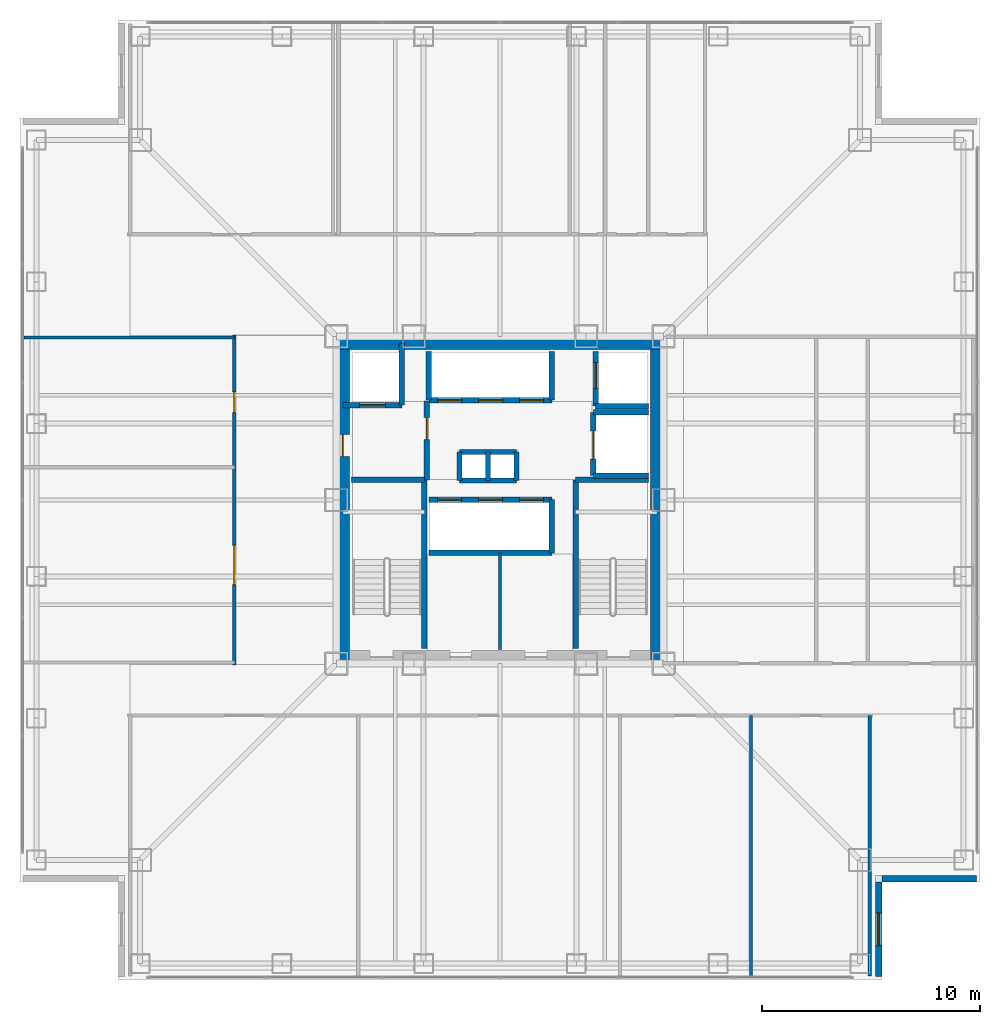
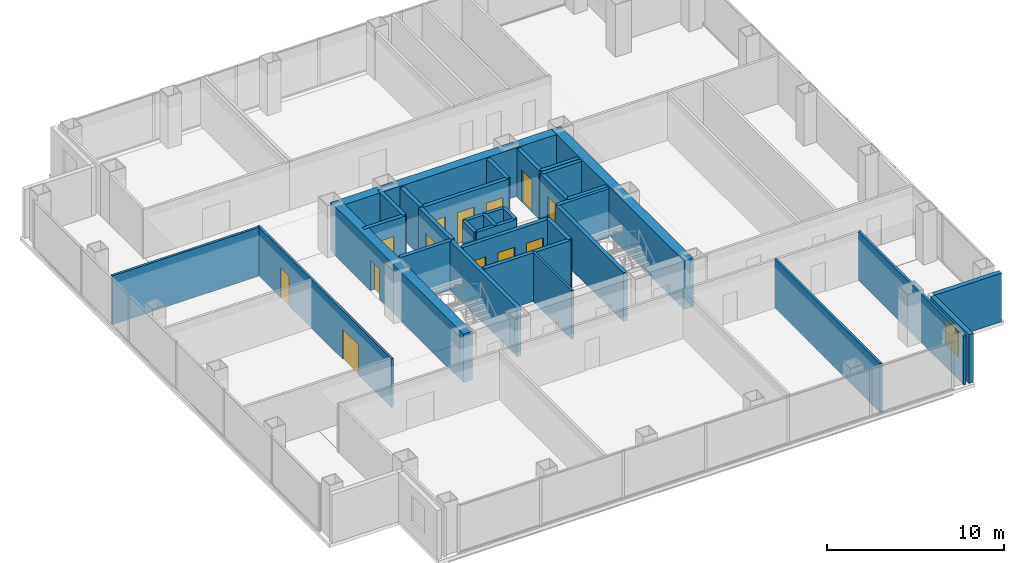
# One storey, part 10 of 14: 33 walls, 13 doors, 1 window, 14 openings.
"""IFC4 building model written with IfcOpenShell, lengths in metres."""

import ifcopenshell
import ifcopenshell.guid

model = None  # the IFC model being written
_history = None  # IfcOwnerHistory: only IFC2X3 demands one
_inside = {}  # id of a spatial element -> (the spatial element, [elements in it])
_under = {}  # id of a project, library or spatial element -> (it, [spatial elements below it])
_declared = {}  # id of a project -> (the project, [libraries it declares])
_typed = {}  # id of a type object -> (the type object, [elements of that type])
_made_of = {}  # id of a material, layer set ... -> (it, [elements and type objects made of it])


def new_model(schema):
    """Start an empty IFC model of exactly this schema.

    Asked for "IFC4X3", IfcOpenShell would pick the latest addendum, in which some entities
    have other attributes; the version numbers below select the first issue.
    IFC2X3 requires an IfcOwnerHistory on every rooted entity: one is made here for all.
    """
    global model, _history
    if schema == "IFC4X3":
        model = ifcopenshell.file(schema_version=(4, 3, 0, 0))
    else:
        model = ifcopenshell.file(schema=schema)
    _inside.clear()
    _under.clear()
    _declared.clear()
    _typed.clear()
    _made_of.clear()
    _history = None
    if model.schema == "IFC2X3":
        org = make("IfcOrganization", Name="unknown")
        user = make(
            "IfcPersonAndOrganization",
            ThePerson=make("IfcPerson", FamilyName="unknown"),
            TheOrganization=org,
        )
        app = make(
            "IfcApplication",
            ApplicationDeveloper=org,
            Version="unknown",
            ApplicationFullName="unknown",
            ApplicationIdentifier="unknown",
        )
        _history = make(
            "IfcOwnerHistory",
            OwningUser=user,
            OwningApplication=app,
            ChangeAction="ADDED",
            CreationDate=0,
        )
    return model


def make(cls, **values):
    """One entity of the class cls with the attributes given. An attribute that is None is left unset."""
    return model.create_entity(
        cls, **{name: value for name, value in values.items() if value is not None}
    )


def rooted(cls, **values):
    """An entity with a GlobalId (a new one), such as an element, a storey or a relation."""
    return make(cls, GlobalId=ifcopenshell.guid.new(), OwnerHistory=_history, **values)


def si_unit(unit_type, name, prefix=None):
    """IfcSIUnit, for example si_unit("LENGTHUNIT", "METRE", prefix="MILLI")."""
    return make("IfcSIUnit", UnitType=unit_type, Prefix=prefix, Name=name)


def assignment(units):
    """IfcUnitAssignment: the units of a project."""
    return None if units is None else make("IfcUnitAssignment", Units=units)


def point(xyz):
    """IfcCartesianPoint."""
    return None if xyz is None else make("IfcCartesianPoint", Coordinates=xyz)


def direction(xyz):
    """IfcDirection."""
    return None if xyz is None else make("IfcDirection", DirectionRatios=xyz)


def frame(location, z_axis=None, x_axis=None):
    """IfcAxis2Placement3D, a coordinate frame: its origin and axes. An axis left out is left unset."""
    return make(
        "IfcAxis2Placement3D",
        Location=point(location),
        Axis=direction(z_axis),
        RefDirection=direction(x_axis),
    )


def frame_2d(location, x_axis=None):
    """IfcAxis2Placement2D, a coordinate frame in the plane: its origin and x axis."""
    return make(
        "IfcAxis2Placement2D", Location=point(location), RefDirection=direction(x_axis)
    )


def origin():
    """The frame at (0, 0, 0) with its axes left unset."""
    return frame((0.0, 0.0, 0.0))


def place(relative_to, where):
    """IfcLocalPlacement: puts the frame where relative to a parent placement (None: the world)."""
    return make(
        "IfcLocalPlacement", PlacementRelTo=relative_to, RelativePlacement=where
    )


def context(
    kind, dimensions, precision=None, world=None, true_north=None, identifier=None
):
    """IfcGeometricRepresentationContext, for example the 3D "Model" context."""
    return make(
        "IfcGeometricRepresentationContext",
        ContextIdentifier=identifier,
        ContextType=kind,
        CoordinateSpaceDimension=dimensions,
        Precision=precision,
        WorldCoordinateSystem=world,
        TrueNorth=true_north,
    )


def subcontext(parent, identifier, kind, view, scale=None):
    """IfcGeometricRepresentationSubContext, for example "Body" below "Model"."""
    return make(
        "IfcGeometricRepresentationSubContext",
        ContextIdentifier=identifier,
        ContextType=kind,
        ParentContext=parent,
        TargetScale=scale,
        TargetView=view,
    )


def project(units=None, contexts=None):
    """IfcProject with its units and contexts."""
    return rooted(
        "IfcProject",
        Name="project",
        RepresentationContexts=contexts,
        UnitsInContext=assignment(units),
    )


def spatial(cls, under=None, at=None, **own):
    """A site, building, storey or space (cls), placed at a placement, below another one or the project."""
    s = rooted(cls, ObjectPlacement=at, **own)
    if under is not None:
        _under.setdefault(under.id(), (under, []))[1].append(s)
    return s


def profile(cls, at=None, kind="AREA", **sizes):
    """A parametric profile (cls). Its sizes go by their IFC names, for example OverallWidth=200.0."""
    return make(cls, ProfileType=kind, Position=at, **sizes)


def rectangle(**sizes):
    """IfcRectangleProfileDef."""
    return profile("IfcRectangleProfileDef", **sizes)


def extrude(swept, where, along, depth):
    """IfcExtrudedAreaSolid: the profile swept, set in the frame where, extruded along a direction by depth."""
    return make(
        "IfcExtrudedAreaSolid",
        SweptArea=swept,
        Position=where,
        ExtrudedDirection=direction(along),
        Depth=depth,
    )


def shape(context_of_items, identifier, shape_type, items):
    """IfcShapeRepresentation: the items that make up one representation, for example the "Body"."""
    return make(
        "IfcShapeRepresentation",
        ContextOfItems=context_of_items,
        RepresentationIdentifier=identifier,
        RepresentationType=shape_type,
        Items=items,
    )


def material(Name=None, Category=None):
    """IfcMaterial."""
    return make("IfcMaterial", Name=Name, Category=Category)


def layer(
    of_material, thickness, ventilated=None, Name=None, Category=None, Priority=None
):
    """IfcMaterialLayer: one layer of a wall or slab, of a material (None: an air gap)."""
    return make(
        "IfcMaterialLayer",
        Material=of_material,
        LayerThickness=thickness,
        IsVentilated=ventilated,
        Name=Name,
        Category=Category,
        Priority=Priority,
    )


def layer_set(layers, Name=None):
    """IfcMaterialLayerSet."""
    return make("IfcMaterialLayerSet", MaterialLayers=layers, LayerSetName=Name)


def made_of(thing, what):
    """Note that an element or type object is made of a material, layer set ...; save() writes the relation."""
    if what is not None:
        _made_of.setdefault(what.id(), (what, []))[1].append(thing)
    return thing


def type_object(cls, material=None, **own):
    """A type object (cls), such as IfcWallType, which elements share."""
    return made_of(rooted(cls, **own), material)


def element(
    cls,
    number,
    at=None,
    inside=None,
    cuts=None,
    type_object=None,
    material=None,
    context=None,
    identifier="Body",
    shape_type=None,
    held_by="IfcProductDefinitionShape",
    body=None,
    shapes=None,
    **own,
):
    """One element of the class cls, such as IfcWall. Its Tag is "e" and its number.

    at: its placement. inside: the storey or other place that contains it. cuts: it is an
    opening in that element (IfcRelVoidsElement). A single representation is given by context,
    identifier, shape_type and body (its items); several are given by shapes. held_by: the class
    of the entity that holds the representations. save() writes the other relations.
    """
    e = rooted(cls, Tag="e%d" % number, ObjectPlacement=at, **own)
    if body is not None:
        shapes = [shape(context, identifier, shape_type, body)]
    if shapes is not None:
        e.Representation = make(held_by, Representations=shapes)
    if inside is not None:
        _inside.setdefault(inside.id(), (inside, []))[1].append(e)
    if cuts is not None:
        rooted(
            "IfcRelVoidsElement", RelatingBuildingElement=cuts, RelatedOpeningElement=e
        )
    if type_object is not None:
        _typed.setdefault(type_object.id(), (type_object, []))[1].append(e)
    return made_of(e, material)


def fill(opening, filler):
    """IfcRelFillsElement: the door or window that sits in an opening."""
    return rooted(
        "IfcRelFillsElement",
        RelatingOpeningElement=opening,
        RelatedBuildingElement=filler,
    )


def aggregate(whole, parts):
    """IfcRelAggregates: a whole, such as a stair, and the parts it consists of."""
    return rooted("IfcRelAggregates", RelatingObject=whole, RelatedObjects=parts)


def save(model, path):
    """Write the relations noted so far, then the file.

    IfcRelAggregates (storeys below a building ...), IfcRelContainedInSpatialStructure (elements
    in a storey), IfcRelDefinesByType, IfcRelAssociatesMaterial and IfcRelDeclares: one each for
    every whole, place, type object, material and project.
    """
    for whole, parts in _under.values():
        aggregate(whole, parts)
    for where, things in _inside.values():
        rooted(
            "IfcRelContainedInSpatialStructure",
            RelatedElements=things,
            RelatingStructure=where,
        )
    for kind, things in _typed.values():
        rooted("IfcRelDefinesByType", RelatedObjects=things, RelatingType=kind)
    for what, things in _made_of.values():
        rooted("IfcRelAssociatesMaterial", RelatedObjects=things, RelatingMaterial=what)
    for by, libraries in _declared.values():
        rooted("IfcRelDeclares", RelatingContext=by, RelatedDefinitions=libraries)
    model.write(path)


model = new_model("IFC4")

# Units and contexts
model_context = context("Model", 3, precision=1e-05, world=origin(), true_north=direction((0.0, 1.0)))
body_context = subcontext(model_context, "Body", "Model", "MODEL_VIEW")
ifc_project = project(units=[si_unit("LENGTHUNIT", "METRE"), si_unit("AREAUNIT", "SQUARE_METRE"), si_unit("VOLUMEUNIT", "CUBIC_METRE"), si_unit("PLANEANGLEUNIT", "RADIAN"), si_unit("MASSUNIT", "GRAM", prefix="KILO")], contexts=[model_context])

# Site, building, storey
site_placement = place(None, origin())
site = spatial("IfcSite", under=ifc_project, at=site_placement, CompositionType="ELEMENT")
building_placement = place(site_placement, origin())
building = spatial("IfcBuilding", under=site, at=building_placement, Name="Trevonay Congress Spire", CompositionType="ELEMENT")
storey_placement = place(building_placement, frame((0.0, 0.0, 119.199951171875)))
storey = spatial("IfcBuildingStorey", under=building, at=storey_placement, Name="L30", CompositionType="ELEMENT", Elevation=119.199951171875)

# Wall
ifc_material_1 = material(Name="Concrete C60/75", Category="concrete")
ifc_layer_1 = layer(ifc_material_1, 0.60009765625, Name="Concrete C60/75")
ifc_layer_set_1 = layer_set([ifc_layer_1], Name="Concrete C60/75")
wall_type_1 = type_object("IfcWallType", Name="WAL-CORE-600", PredefinedType="SHEAR", material=ifc_layer_set_1)
wall_1_placement = place(storey_placement, frame((-7.5, 7.199951171875, 0.0), z_axis=(0.0, 0.0, 1.0), x_axis=(1.0, 0.0, 0.0)))
element("IfcWall", 1, at=wall_1_placement, inside=storey, type_object=wall_type_1, Name="L30 North structural core shear wall", PredefinedType="SHEAR", context=body_context, shape_type="SweptSolid", body=[
    extrude(rectangle(XDim=15.0, YDim=0.60009765625, at=frame_2d((7.5, 0.0))), origin(), (0.0, 0.0, 1.0), 3.360107421875),
])

# Wall, opening, door
wall_2_placement = place(storey_placement, frame((-7.199951171875, -7.5, 0.0), z_axis=(0.0, 0.0, 1.0), x_axis=(0.0, 1.0, 0.0)))
wall_2 = element("IfcWall", 2, at=wall_2_placement, inside=storey, type_object=wall_type_1, Name="L30 West structural core shear wall", PredefinedType="SHEAR", context=body_context, shape_type="SweptSolid", body=[
    extrude(rectangle(XDim=15.0, YDim=0.60009765625, at=frame_2d((7.5, 0.0))), origin(), (0.0, 0.0, 1.0), 3.360107421875),
])
opening_1_placement = place(wall_2_placement, frame((9.5, 0.0, 0.0)))
opening_1 = element("IfcOpeningElement", 3, at=opening_1_placement, cuts=wall_2, Name="Opening D06", PredefinedType="OPENING", context=body_context, shape_type="SweptSolid", body=[
    extrude(rectangle(XDim=1.0, YDim=2.080078125, at=frame_2d((0.5, 1.0400390625))), frame((0.0, 0.31005859375, 0.0), z_axis=(0.0, -1.0, 0.0), x_axis=(1.0, 0.0, 0.0)), (0.0, 0.0, 1.0), 0.6201171875),
])
ifc_material_2 = material(Name="Steel ASTM A572 Grade 50", Category="steel")
door_type_1 = type_object("IfcDoorType", Name="DOR-FIRE-100", OperationType="NOTDEFINED", PredefinedType="DOOR", material=ifc_material_2)
door_1_placement = place(opening_1_placement, origin())
door_1 = element("IfcDoor", 4, at=door_1_placement, inside=storey, type_object=door_type_1, Name="L30 Firefighting Lift Lobby West Corridor Door", OperationType="SINGLE_SWING_RIGHT", OverallHeight=2.080078125, OverallWidth=1.0, PredefinedType="DOOR", context=body_context, shape_type="SweptSolid", body=[
    extrude(rectangle(XDim=1.0, YDim=2.080078125, at=frame_2d((0.5, 1.0400390625))), frame((0.0, 0.02490234375, 0.0), z_axis=(0.0, -1.0, 0.0), x_axis=(1.0, 0.0, 0.0)), (0.0, 0.0, 1.0), 0.050048828125),
])
fill(opening_1, door_1)

# Wall
wall_3_placement = place(storey_placement, frame((7.199951171875, -7.5, 0.0), z_axis=(0.0, 0.0, 1.0), x_axis=(0.0, 1.0, 0.0)))
element("IfcWall", 5, at=wall_3_placement, inside=storey, type_object=wall_type_1, Name="L30 East structural core shear wall", PredefinedType="SHEAR", context=body_context, shape_type="SweptSolid", body=[
    extrude(rectangle(XDim=15.0, YDim=0.60009765625, at=frame_2d((7.5, 0.0))), origin(), (0.0, 0.0, 1.0), 3.360107421875),
])

# Wall, openings, doors
ifc_material_3 = material(Name="Concrete C40/50", Category="concrete")
ifc_layer_2 = layer(ifc_material_3, 0.14990234375, Name="Concrete C40/50")
ifc_layer_set_2 = layer_set([ifc_layer_2], Name="Concrete C40/50")
wall_type_2 = type_object("IfcWallType", Name="WAL-CORR-150", PredefinedType="PARTITIONING", material=ifc_layer_set_2)
wall_4_placement = place(storey_placement, frame((-12.179931640625, -7.570068359375, 0.0), z_axis=(0.0, 0.0, 1.0), x_axis=(0.0, 1.0, 0.0)))
wall_4 = element("IfcWall", 6, at=wall_4_placement, inside=storey, type_object=wall_type_2, Name="L30 interior wall WP-L30W-COR", PredefinedType="PARTITIONING", context=body_context, shape_type="SweptSolid", body=[
    extrude(rectangle(XDim=15.14013671875, YDim=0.14990234375, at=frame_2d((7.570068359375, 0.0))), origin(), (0.0, 0.0, 1.0), 3.360107421875),
])
opening_2_placement = place(wall_4_placement, frame((3.695068359375, 0.0, 0.0)))
opening_2 = element("IfcOpeningElement", 7, at=opening_2_placement, cuts=wall_4, Name="Opening D09", PredefinedType="OPENING", context=body_context, shape_type="SweptSolid", body=[
    extrude(rectangle(XDim=1.800048828125, YDim=2.080078125, at=frame_2d((0.89990234375, 1.0400390625))), frame((0.0, 0.0849609375, 0.0), z_axis=(0.0, -1.0, 0.0), x_axis=(1.0, 0.0, 0.0)), (0.0, 0.0, 1.0), 0.169921875),
])
opening_3_placement = place(wall_4_placement, frame((11.570068359375, 0.0, 0.0)))
opening_3 = element("IfcOpeningElement", 8, at=opening_3_placement, cuts=wall_4, Name="Opening D07", PredefinedType="OPENING", context=body_context, shape_type="SweptSolid", body=[
    extrude(rectangle(XDim=0.949951171875, YDim=2.06005859375, at=frame_2d((0.47509765625, 1.030029296875))), frame((0.0, 0.0849609375, 0.0), z_axis=(0.0, -1.0, 0.0), x_axis=(1.0, 0.0, 0.0)), (0.0, 0.0, 1.0), 0.169921875),
])
ifc_material_4 = material(Name="Pale Anodised Aluminium EN AW-6063-T6", Category="aluminium")
door_type_2 = type_object("IfcDoorType", Name="DOR-CONF-DBL", OperationType="DOUBLE_DOOR_SINGLE_SWING", PredefinedType="DOOR", material=ifc_material_4)
door_2_placement = place(opening_2_placement, origin())
door_2 = element("IfcDoor", 9, at=door_2_placement, inside=storey, type_object=door_type_2, Name="L30 Delegates Club Lounge Door", OperationType="DOUBLE_DOOR_SINGLE_SWING", OverallHeight=2.080078125, OverallWidth=1.800048828125, PredefinedType="DOOR", context=body_context, shape_type="SweptSolid", body=[
    extrude(rectangle(XDim=1.800048828125, YDim=2.080078125, at=frame_2d((0.89990234375, 1.0400390625))), frame((0.0, 0.02490234375, 0.0), z_axis=(0.0, -1.0, 0.0), x_axis=(1.0, 0.0, 0.0)), (0.0, 0.0, 1.0), 0.050048828125),
])
fill(opening_2, door_2)
door_type_3 = type_object("IfcDoorType", Name="DOR-OFFICE-95", OperationType="NOTDEFINED", PredefinedType="DOOR", material=ifc_material_4)
door_3_placement = place(opening_3_placement, origin())
door_3 = element("IfcDoor", 10, at=door_3_placement, inside=storey, type_object=door_type_3, Name="L30 Sommelier Bar Door", OperationType="SINGLE_SWING_LEFT", OverallHeight=2.06005859375, OverallWidth=0.949951171875, PredefinedType="DOOR", context=body_context, shape_type="SweptSolid", body=[
    extrude(rectangle(XDim=0.949951171875, YDim=2.06005859375, at=frame_2d((0.47509765625, 1.030029296875))), frame((0.0, 0.02490234375, 0.0), z_axis=(0.0, -1.0, 0.0), x_axis=(1.0, 0.0, 0.0)), (0.0, 0.0, 1.0), 0.050048828125),
])
fill(opening_3, door_3)

# Wall, opening, window
ifc_material_5 = material(Name="Precast concrete C40/50", Category="concrete")
ifc_layer_3 = layer(ifc_material_5, 0.300048828125, Name="Precast concrete C40/50")
ifc_layer_set_3 = layer_set([ifc_layer_3], Name="Precast concrete C40/50")
wall_type_3 = type_object("IfcWallType", Name="WAL-EXT-PRECAST-300", PredefinedType="SOLIDWALL", material=ifc_layer_set_3)
wall_5_placement = place(storey_placement, frame((17.35009765625, -21.85009765625, 0.0), z_axis=(0.0, 0.0, 1.0), x_axis=(0.0, 1.0, 0.0)))
wall_5 = element("IfcWall", 11, at=wall_5_placement, inside=storey, type_object=wall_type_3, Name="L30 SE re-entrant notch exterior wall 1", PredefinedType="SOLIDWALL", context=body_context, shape_type="SweptSolid", body=[
    extrude(rectangle(XDim=4.35009765625, YDim=0.300048828125, at=frame_2d((2.175048828125, 0.0))), origin(), (0.0, 0.0, 1.0), 3.360107421875),
])
opening_4_placement = place(wall_5_placement, frame((1.425048828125, 0.0, 0.89990234375)))
opening_4 = element("IfcOpeningElement", 12, at=opening_4_placement, cuts=wall_5, Name="Opening WN03", PredefinedType="OPENING", context=body_context, shape_type="SweptSolid", body=[
    extrude(rectangle(XDim=1.5, YDim=1.800048828125, at=frame_2d((0.75, 0.89990234375))), frame((0.0, 0.16015625, 0.0), z_axis=(0.0, -1.0, 0.0), x_axis=(1.0, 0.0, 0.0)), (0.0, 0.0, 1.0), 0.320068359375),
])
ifc_material_6 = material(Name="Insulated Low-E Vision Glass IGU", Category="glass")
window_type = type_object("IfcWindowType", Name="WIN-NOTCH-150X180", PartitioningType="SINGLE_PANEL", PredefinedType="WINDOW", material=ifc_material_6)
window_placement = place(opening_4_placement, origin())
window = element("IfcWindow", 13, at=window_placement, inside=storey, type_object=window_type, Name="L30 SE corner notch window", OverallHeight=1.800048828125, OverallWidth=1.5, PartitioningType="SINGLE_PANEL", PredefinedType="WINDOW", context=body_context, shape_type="SweptSolid", body=[
    extrude(rectangle(XDim=1.5, YDim=1.800048828125, at=frame_2d((0.75, 0.89990234375))), frame((0.0, 0.030029296875, 0.0), z_axis=(0.0, -1.0, 0.0), x_axis=(1.0, 0.0, 0.0)), (0.0, 0.0, 1.0), 0.06005859375),
])
fill(opening_4, window)

# Walls
wall_6_placement = place(storey_placement, frame((21.85009765625, -17.35009765625, 0.0), z_axis=(0.0, 0.0, 1.0), x_axis=(-1.0, 0.0, 0.0)))
element("IfcWall", 14, at=wall_6_placement, inside=storey, type_object=wall_type_3, Name="L30 SE re-entrant notch exterior wall 2", PredefinedType="SOLIDWALL", context=body_context, shape_type="SweptSolid", body=[
    extrude(rectangle(XDim=4.35009765625, YDim=0.300048828125, at=frame_2d((2.175048828125, 0.0))), origin(), (0.0, 0.0, 1.0), 3.360107421875),
])
ifc_layer_4 = layer(ifc_material_3, 0.14990234375, Name="Concrete C40/50")
ifc_layer_set_4 = layer_set([ifc_layer_4], Name="Concrete C40/50")
wall_type_4 = type_object("IfcWallType", Name="WAL-PART-150", PredefinedType="PARTITIONING", material=ifc_layer_set_4)
wall_7_placement = place(storey_placement, frame((0.0, -6.85009765625, 0.0), z_axis=(0.0, 0.0, 1.0), x_axis=(0.0, 1.0, 0.0)))
element("IfcWall", 15, at=wall_7_placement, inside=storey, type_object=wall_type_4, Name="L30 interior wall CW-F0-L30", PredefinedType="PARTITIONING", context=body_context, shape_type="SweptSolid", body=[
    extrude(rectangle(XDim=4.420166015625, YDim=0.14990234375, at=frame_2d((2.2099609375, 0.0))), origin(), (0.0, 0.0, 1.0), 3.360107421875),
])
for number, where, z_axis, x_axis, name in (
    (16, (11.5, -21.820068359375, 0.0), (0.0, 0.0, 1.0), (0.0, 1.0, 0.0), "L30 interior wall WP-L30S-DIV4"),
    (17, (16.949951171875, -21.820068359375, 0.0), (0.0, 0.0, 1.0), (0.0, 1.0, 0.0), "L30 interior wall WP-L30S-DIV5"),
):
    element("IfcWall", number, at=place(storey_placement, frame(where, z_axis=z_axis, x_axis=x_axis)), inside=storey, type_object=wall_type_4, Name=name, PredefinedType="PARTITIONING", context=body_context, shape_type="SweptSolid", body=[
        extrude(rectangle(XDim=11.940185546875, YDim=0.14990234375, at=frame_2d((5.97021484375, 0.0))), origin(), (0.0, 0.0, 1.0), 3.360107421875),
    ])
wall_8_placement = place(storey_placement, frame((-21.820068359375, 7.449951171875, 0.0), z_axis=(0.0, 0.0, 1.0), x_axis=(1.0, 0.0, 0.0)))
element("IfcWall", 18, at=wall_8_placement, inside=storey, type_object=wall_type_4, Name="L30 interior wall WP-L30W-DIV3", PredefinedType="PARTITIONING", context=body_context, shape_type="SweptSolid", body=[
    extrude(rectangle(XDim=9.64013671875, YDim=0.14990234375, at=frame_2d((4.820068359375, 0.0))), origin(), (0.0, 0.0, 1.0), 3.360107421875),
])
ifc_layer_5 = layer(ifc_material_3, 0.219970703125, Name="Concrete C40/50")
ifc_layer_set_5 = layer_set([ifc_layer_5], Name="Concrete C40/50")
wall_type_5 = type_object("IfcWallType", Name="WAL-SHAFT-220", PredefinedType="PARTITIONING", material=ifc_layer_set_5)
for number, where, z_axis, x_axis, name in (
    (19, (-1.85009765625, 2.199951171875, 0.0), (0.0, 0.0, 1.0), (1.0, 0.0, 0.0), "L30 interior shaft wall WSH-L30-RSR-N"),
    (20, (-1.85009765625, 0.89990234375, 0.0), (0.0, 0.0, 1.0), (1.0, 0.0, 0.0), "L30 interior shaft wall WSH-L30-RSR-S"),
):
    element("IfcWall", number, at=place(storey_placement, frame(where, z_axis=z_axis, x_axis=x_axis)), inside=storey, type_object=wall_type_5, Name=name, PredefinedType="PARTITIONING", context=body_context, shape_type="SweptSolid", body=[
        extrude(rectangle(XDim=2.60009765625, YDim=0.219970703125, at=frame_2d((1.300048828125, 0.0))), origin(), (0.0, 0.0, 1.0), 3.360107421875),
    ])
for number, where, z_axis, x_axis, name in (
    (21, (-0.550048828125, 0.89990234375, 0.0), (0.0, 0.0, 1.0), (0.0, 1.0, 0.0), "L30 interior shaft wall WSH-L30-RSR-M"),
    (22, (0.75, 0.89990234375, 0.0), (0.0, 0.0, 1.0), (0.0, 1.0, 0.0), "L30 interior shaft wall WSH-L30-RSR-E"),
    (23, (-1.85009765625, 0.89990234375, 0.0), (0.0, 0.0, 1.0), (0.0, 1.0, 0.0), "L30 interior shaft wall WSH-L30-RSR-W"),
):
    element("IfcWall", number, at=place(storey_placement, frame(where, z_axis=z_axis, x_axis=x_axis)), inside=storey, type_object=wall_type_5, Name=name, PredefinedType="PARTITIONING", context=body_context, shape_type="SweptSolid", body=[
        extrude(rectangle(XDim=1.300048828125, YDim=0.219970703125, at=frame_2d((0.64990234375, 0.0))), origin(), (0.0, 0.0, 1.0), 3.360107421875),
    ])

# Wall, openings, doors
ifc_layer_6 = layer(ifc_material_3, 0.25, Name="Concrete C40/50")
ifc_layer_set_6 = layer_set([ifc_layer_6], Name="Concrete C40/50")
wall_type_6 = type_object("IfcWallType", Name="WAL-SHAFT-250", PredefinedType="SHEAR", material=ifc_layer_set_6)
wall_9_placement = place(storey_placement, frame((-3.260009765625, 0.02001953125, 0.0), z_axis=(0.0, 0.0, 1.0), x_axis=(1.0, 0.0, 0.0)))
wall_9 = element("IfcWall", 24, at=wall_9_placement, inside=storey, type_object=wall_type_6, Name="L30 interior shaft wall WSH-L30-B2-N", PredefinedType="SHEAR", context=body_context, shape_type="SweptSolid", body=[
    extrude(rectangle(XDim=5.639892578125, YDim=0.25, at=frame_2d((2.81982421875, 0.0))), origin(), (0.0, 0.0, 1.0), 3.360107421875),
])
opening_5_placement = place(wall_9_placement, frame((0.39990234375, 0.0, 0.0)))
opening_5 = element("IfcOpeningElement", 25, at=opening_5_placement, cuts=wall_9, Name="Opening LD02", PredefinedType="OPENING", context=body_context, shape_type="SweptSolid", body=[
    extrude(rectangle(XDim=1.10009765625, YDim=2.199951171875, at=frame_2d((0.550048828125, 1.10009765625))), frame((0.0, 0.135009765625, 0.0), z_axis=(0.0, -1.0, 0.0), x_axis=(1.0, 0.0, 0.0)), (0.0, 0.0, 1.0), 0.27001953125),
])
opening_6_placement = place(wall_9_placement, frame((2.280029296875, 0.0, 0.0)))
opening_6 = element("IfcOpeningElement", 26, at=opening_6_placement, cuts=wall_9, Name="Opening LD02", PredefinedType="OPENING", context=body_context, shape_type="SweptSolid", body=[
    extrude(rectangle(XDim=1.10009765625, YDim=2.199951171875, at=frame_2d((0.550048828125, 1.10009765625))), frame((0.0, 0.135009765625, 0.0), z_axis=(0.0, -1.0, 0.0), x_axis=(1.0, 0.0, 0.0)), (0.0, 0.0, 1.0), 0.27001953125),
])
opening_7_placement = place(wall_9_placement, frame((4.159912109375, 0.0, 0.0)))
opening_7 = element("IfcOpeningElement", 27, at=opening_7_placement, cuts=wall_9, Name="Opening LD02", PredefinedType="OPENING", context=body_context, shape_type="SweptSolid", body=[
    extrude(rectangle(XDim=1.10009765625, YDim=2.199951171875, at=frame_2d((0.550048828125, 1.10009765625))), frame((0.0, 0.135009765625, 0.0), z_axis=(0.0, -1.0, 0.0), x_axis=(1.0, 0.0, 0.0)), (0.0, 0.0, 1.0), 0.27001953125),
])
door_type_4 = type_object("IfcDoorType", Name="DOR-LIFT-LD02", OperationType="DOUBLE_DOOR_SLIDING", PredefinedType="DOOR", material=ifc_material_4)
door_4_placement = place(opening_5_placement, origin())
door_4 = element("IfcDoor", 28, at=door_4_placement, inside=storey, type_object=door_type_4, Name="L30 Passenger lift PL-04 landing door", OperationType="DOUBLE_DOOR_SLIDING", OverallHeight=2.199951171875, OverallWidth=1.10009765625, PredefinedType="DOOR", context=body_context, shape_type="SweptSolid", body=[
    extrude(rectangle(XDim=1.10009765625, YDim=2.199951171875, at=frame_2d((0.550048828125, 1.10009765625))), frame((0.0, 0.02490234375, 0.0), z_axis=(0.0, -1.0, 0.0), x_axis=(1.0, 0.0, 0.0)), (0.0, 0.0, 1.0), 0.050048828125),
])
fill(opening_5, door_4)
door_5_placement = place(opening_6_placement, origin())
door_5 = element("IfcDoor", 29, at=door_5_placement, inside=storey, type_object=door_type_4, Name="L30 Passenger lift PL-05 landing door", OperationType="DOUBLE_DOOR_SLIDING", OverallHeight=2.199951171875, OverallWidth=1.10009765625, PredefinedType="DOOR", context=body_context, shape_type="SweptSolid", body=[
    extrude(rectangle(XDim=1.10009765625, YDim=2.199951171875, at=frame_2d((0.550048828125, 1.10009765625))), frame((0.0, 0.02490234375, 0.0), z_axis=(0.0, -1.0, 0.0), x_axis=(1.0, 0.0, 0.0)), (0.0, 0.0, 1.0), 0.050048828125),
])
fill(opening_6, door_5)
door_6_placement = place(opening_7_placement, origin())
door_6 = element("IfcDoor", 30, at=door_6_placement, inside=storey, type_object=door_type_4, Name="L30 Passenger lift PL-06 landing door", OperationType="DOUBLE_DOOR_SLIDING", OverallHeight=2.199951171875, OverallWidth=1.10009765625, PredefinedType="DOOR", context=body_context, shape_type="SweptSolid", body=[
    extrude(rectangle(XDim=1.10009765625, YDim=2.199951171875, at=frame_2d((0.550048828125, 1.10009765625))), frame((0.0, 0.02490234375, 0.0), z_axis=(0.0, -1.0, 0.0), x_axis=(1.0, 0.0, 0.0)), (0.0, 0.0, 1.0), 0.050048828125),
])
fill(opening_7, door_6)

# Walls
wall_10_placement = place(storey_placement, frame((-3.260009765625, -2.419921875, 0.0), z_axis=(0.0, 0.0, 1.0), x_axis=(1.0, 0.0, 0.0)))
element("IfcWall", 31, at=wall_10_placement, inside=storey, type_object=wall_type_6, Name="L30 interior shaft wall WSH-L30-B2-S", PredefinedType="SHEAR", context=body_context, shape_type="SweptSolid", body=[
    extrude(rectangle(XDim=5.639892578125, YDim=0.25, at=frame_2d((2.81982421875, 0.0))), origin(), (0.0, 0.0, 1.0), 3.360107421875),
])
wall_11_placement = place(storey_placement, frame((2.3798828125, -2.419921875, 0.0), z_axis=(0.0, 0.0, 1.0), x_axis=(0.0, 1.0, 0.0)))
element("IfcWall", 32, at=wall_11_placement, inside=storey, type_object=wall_type_6, Name="L30 interior shaft wall WSH-L30-B2-E", PredefinedType="SHEAR", context=body_context, shape_type="SweptSolid", body=[
    extrude(rectangle(XDim=2.43994140625, YDim=0.25, at=frame_2d((1.219970703125, 0.0))), origin(), (0.0, 0.0, 1.0), 3.360107421875),
])

# Wall, openings, doors
wall_12_placement = place(storey_placement, frame((-3.260009765625, 4.580078125, 0.0), z_axis=(0.0, 0.0, 1.0), x_axis=(1.0, 0.0, 0.0)))
wall_12 = element("IfcWall", 33, at=wall_12_placement, inside=storey, type_object=wall_type_6, Name="L30 interior shaft wall WSH-L30-B3-S", PredefinedType="SHEAR", context=body_context, shape_type="SweptSolid", body=[
    extrude(rectangle(XDim=5.639892578125, YDim=0.25, at=frame_2d((2.81982421875, 0.0))), origin(), (0.0, 0.0, 1.0), 3.360107421875),
])
opening_8_placement = place(wall_12_placement, frame((0.39990234375, 0.0, 0.0)))
opening_8 = element("IfcOpeningElement", 34, at=opening_8_placement, cuts=wall_12, Name="Opening LD03", PredefinedType="OPENING", context=body_context, shape_type="SweptSolid", body=[
    extrude(rectangle(XDim=1.10009765625, YDim=2.199951171875, at=frame_2d((0.550048828125, 1.10009765625))), frame((0.0, 0.135009765625, 0.0), z_axis=(0.0, -1.0, 0.0), x_axis=(1.0, 0.0, 0.0)), (0.0, 0.0, 1.0), 0.27001953125),
])
opening_9_placement = place(wall_12_placement, frame((2.280029296875, 0.0, 0.0)))
opening_9 = element("IfcOpeningElement", 35, at=opening_9_placement, cuts=wall_12, Name="Opening LD03", PredefinedType="OPENING", context=body_context, shape_type="SweptSolid", body=[
    extrude(rectangle(XDim=1.10009765625, YDim=2.199951171875, at=frame_2d((0.550048828125, 1.10009765625))), frame((0.0, 0.135009765625, 0.0), z_axis=(0.0, -1.0, 0.0), x_axis=(1.0, 0.0, 0.0)), (0.0, 0.0, 1.0), 0.27001953125),
])
opening_10_placement = place(wall_12_placement, frame((4.159912109375, 0.0, 0.0)))
opening_10 = element("IfcOpeningElement", 36, at=opening_10_placement, cuts=wall_12, Name="Opening LD03", PredefinedType="OPENING", context=body_context, shape_type="SweptSolid", body=[
    extrude(rectangle(XDim=1.10009765625, YDim=2.199951171875, at=frame_2d((0.550048828125, 1.10009765625))), frame((0.0, 0.135009765625, 0.0), z_axis=(0.0, -1.0, 0.0), x_axis=(1.0, 0.0, 0.0)), (0.0, 0.0, 1.0), 0.27001953125),
])
door_type_5 = type_object("IfcDoorType", Name="DOR-LIFT-LD03", OperationType="DOUBLE_DOOR_SLIDING", PredefinedType="DOOR", material=ifc_material_4)
door_7_placement = place(opening_8_placement, origin())
door_7 = element("IfcDoor", 37, at=door_7_placement, inside=storey, type_object=door_type_5, Name="L30 Passenger lift PL-07 landing door", OperationType="DOUBLE_DOOR_SLIDING", OverallHeight=2.199951171875, OverallWidth=1.10009765625, PredefinedType="DOOR", context=body_context, shape_type="SweptSolid", body=[
    extrude(rectangle(XDim=1.10009765625, YDim=2.199951171875, at=frame_2d((0.550048828125, 1.10009765625))), frame((0.0, 0.02490234375, 0.0), z_axis=(0.0, -1.0, 0.0), x_axis=(1.0, 0.0, 0.0)), (0.0, 0.0, 1.0), 0.050048828125),
])
fill(opening_8, door_7)
door_8_placement = place(opening_9_placement, origin())
door_8 = element("IfcDoor", 38, at=door_8_placement, inside=storey, type_object=door_type_5, Name="L30 Passenger lift PL-08 landing door", OperationType="DOUBLE_DOOR_SLIDING", OverallHeight=2.199951171875, OverallWidth=1.10009765625, PredefinedType="DOOR", context=body_context, shape_type="SweptSolid", body=[
    extrude(rectangle(XDim=1.10009765625, YDim=2.199951171875, at=frame_2d((0.550048828125, 1.10009765625))), frame((0.0, 0.02490234375, 0.0), z_axis=(0.0, -1.0, 0.0), x_axis=(1.0, 0.0, 0.0)), (0.0, 0.0, 1.0), 0.050048828125),
])
fill(opening_9, door_8)
door_9_placement = place(opening_10_placement, origin())
door_9 = element("IfcDoor", 39, at=door_9_placement, inside=storey, type_object=door_type_5, Name="L30 Passenger lift PL-09 landing door", OperationType="DOUBLE_DOOR_SLIDING", OverallHeight=2.199951171875, OverallWidth=1.10009765625, PredefinedType="DOOR", context=body_context, shape_type="SweptSolid", body=[
    extrude(rectangle(XDim=1.10009765625, YDim=2.199951171875, at=frame_2d((0.550048828125, 1.10009765625))), frame((0.0, 0.02490234375, 0.0), z_axis=(0.0, -1.0, 0.0), x_axis=(1.0, 0.0, 0.0)), (0.0, 0.0, 1.0), 0.050048828125),
])
fill(opening_10, door_9)

# Walls
for number, where, z_axis, x_axis, name in (
    (40, (-3.260009765625, 4.580078125, 0.0), (0.0, 0.0, 1.0), (0.0, 1.0, 0.0), "L30 interior shaft wall WSH-L30-B3-W"),
    (41, (2.3798828125, 4.580078125, 0.0), (0.0, 0.0, 1.0), (0.0, 1.0, 0.0), "L30 interior shaft wall WSH-L30-B3-E"),
):
    element("IfcWall", number, at=place(storey_placement, frame(where, z_axis=z_axis, x_axis=x_axis)), inside=storey, type_object=wall_type_6, Name=name, PredefinedType="SHEAR", context=body_context, shape_type="SweptSolid", body=[
        extrude(rectangle(XDim=2.219970703125, YDim=0.25, at=frame_2d((1.10986328125, 0.0))), origin(), (0.0, 0.0, 1.0), 3.360107421875),
    ])

# Wall, opening, door
wall_13_placement = place(storey_placement, frame((-7.199951171875, 4.35009765625, 0.0), z_axis=(0.0, 0.0, 1.0), x_axis=(1.0, 0.0, 0.0)))
wall_13 = element("IfcWall", 42, at=wall_13_placement, inside=storey, type_object=wall_type_6, Name="L30 interior shaft wall WSH-L30-FF1-S", PredefinedType="SHEAR", context=body_context, shape_type="SweptSolid", body=[
    extrude(rectangle(XDim=2.699951171875, YDim=0.25, at=frame_2d((1.35009765625, 0.0))), origin(), (0.0, 0.0, 1.0), 3.360107421875),
])
opening_11_placement = place(wall_13_placement, frame((0.75, 0.0, 0.0)))
opening_11 = element("IfcOpeningElement", 43, at=opening_11_placement, cuts=wall_13, Name="Opening LD04", PredefinedType="OPENING", context=body_context, shape_type="SweptSolid", body=[
    extrude(rectangle(XDim=1.199951171875, YDim=2.199951171875, at=frame_2d((0.60009765625, 1.10009765625))), frame((0.0, 0.135009765625, 0.0), z_axis=(0.0, -1.0, 0.0), x_axis=(1.0, 0.0, 0.0)), (0.0, 0.0, 1.0), 0.27001953125),
])
door_type_6 = type_object("IfcDoorType", Name="DOR-LIFT-LD04", OperationType="DOUBLE_DOOR_SLIDING", PredefinedType="DOOR", material=ifc_material_2)
door_10_placement = place(opening_11_placement, origin())
door_10 = element("IfcDoor", 44, at=door_10_placement, inside=storey, type_object=door_type_6, Name="L30 Firefighting lift FFL-01 landing door", OperationType="DOUBLE_DOOR_SLIDING", OverallHeight=2.199951171875, OverallWidth=1.199951171875, PredefinedType="DOOR", context=body_context, shape_type="SweptSolid", body=[
    extrude(rectangle(XDim=1.199951171875, YDim=2.199951171875, at=frame_2d((0.60009765625, 1.10009765625))), frame((0.0, 0.02490234375, 0.0), z_axis=(0.0, -1.0, 0.0), x_axis=(1.0, 0.0, 0.0)), (0.0, 0.0, 1.0), 0.050048828125),
])
fill(opening_11, door_10)

# Walls
wall_14_placement = place(storey_placement, frame((-4.5, 4.35009765625, 0.0), z_axis=(0.0, 0.0, 1.0), x_axis=(0.0, 1.0, 0.0)))
element("IfcWall", 45, at=wall_14_placement, inside=storey, type_object=wall_type_6, Name="L30 interior shaft wall WSH-L30-FF1-E", PredefinedType="SHEAR", context=body_context, shape_type="SweptSolid", body=[
    extrude(rectangle(XDim=2.849853515625, YDim=0.25, at=frame_2d((1.4248046875, 0.0))), origin(), (0.0, 0.0, 1.0), 3.360107421875),
])
wall_15_placement = place(storey_placement, frame((4.3798828125, 4.300048828125, 0.0), z_axis=(0.0, 0.0, 1.0), x_axis=(1.0, 0.0, 0.0)))
element("IfcWall", 46, at=wall_15_placement, inside=storey, type_object=wall_type_6, Name="L30 interior shaft wall WSH-L30-FF2-S", PredefinedType="SHEAR", context=body_context, shape_type="SweptSolid", body=[
    extrude(rectangle(XDim=2.420166015625, YDim=0.25, at=frame_2d((1.2099609375, 0.0))), origin(), (0.0, 0.0, 1.0), 3.360107421875),
])

# Wall, opening, door
wall_16_placement = place(storey_placement, frame((4.3798828125, 4.300048828125, 0.0), z_axis=(0.0, 0.0, 1.0), x_axis=(0.0, 1.0, 0.0)))
wall_16 = element("IfcWall", 47, at=wall_16_placement, inside=storey, type_object=wall_type_6, Name="L30 interior shaft wall WSH-L30-FF2-W", PredefinedType="SHEAR", context=body_context, shape_type="SweptSolid", body=[
    extrude(rectangle(XDim=2.5, YDim=0.25, at=frame_2d((1.25, 0.0))), origin(), (0.0, 0.0, 1.0), 3.360107421875),
])
opening_12_placement = place(wall_16_placement, frame((0.800048828125, 0.0, 0.0)))
opening_12 = element("IfcOpeningElement", 48, at=opening_12_placement, cuts=wall_16, Name="Opening LD04", PredefinedType="OPENING", context=body_context, shape_type="SweptSolid", body=[
    extrude(rectangle(XDim=1.199951171875, YDim=2.199951171875, at=frame_2d((0.60009765625, 1.10009765625))), frame((0.0, 0.135009765625, 0.0), z_axis=(0.0, -1.0, 0.0), x_axis=(1.0, 0.0, 0.0)), (0.0, 0.0, 1.0), 0.27001953125),
])
door_11_placement = place(opening_12_placement, origin())
door_11 = element("IfcDoor", 49, at=door_11_placement, inside=storey, type_object=door_type_6, Name="L30 Firefighting lift FFL-02 landing door", OperationType="DOUBLE_DOOR_SLIDING", OverallHeight=2.199951171875, OverallWidth=1.199951171875, PredefinedType="DOOR", context=body_context, shape_type="SweptSolid", body=[
    extrude(rectangle(XDim=1.199951171875, YDim=2.199951171875, at=frame_2d((0.60009765625, 1.10009765625))), frame((0.0, 0.02490234375, 0.0), z_axis=(0.0, -1.0, 0.0), x_axis=(1.0, 0.0, 0.0)), (0.0, 0.0, 1.0), 0.050048828125),
])
fill(opening_12, door_11)

wall_17_placement = place(storey_placement, frame((4.280029296875, 1.1201171875, 0.0), z_axis=(0.0, 0.0, 1.0), x_axis=(0.0, 1.0, 0.0)))
wall_17 = element("IfcWall", 50, at=wall_17_placement, inside=storey, type_object=wall_type_6, Name="L30 interior shaft wall WSH-L30-SV-W", PredefinedType="SHEAR", context=body_context, shape_type="SweptSolid", body=[
    extrude(rectangle(XDim=2.89990234375, YDim=0.25, at=frame_2d((1.449951171875, 0.0))), origin(), (0.0, 0.0, 1.0), 3.360107421875),
])
opening_13_placement = place(wall_17_placement, frame((0.75, 0.0, 0.0)))
opening_13 = element("IfcOpeningElement", 51, at=opening_13_placement, cuts=wall_17, Name="Opening LD05", PredefinedType="OPENING", context=body_context, shape_type="SweptSolid", body=[
    extrude(rectangle(XDim=1.300048828125, YDim=2.300048828125, at=frame_2d((0.64990234375, 1.14990234375))), frame((0.0, 0.135009765625, 0.0), z_axis=(0.0, -1.0, 0.0), x_axis=(1.0, 0.0, 0.0)), (0.0, 0.0, 1.0), 0.27001953125),
])
door_type_7 = type_object("IfcDoorType", Name="DOR-LIFT-LD05", OperationType="DOUBLE_DOOR_SLIDING", PredefinedType="DOOR", material=ifc_material_2)
door_12_placement = place(opening_13_placement, origin())
door_12 = element("IfcDoor", 52, at=door_12_placement, inside=storey, type_object=door_type_7, Name="L30 Goods lift SVL-01 landing door", OperationType="DOUBLE_DOOR_SLIDING", OverallHeight=2.300048828125, OverallWidth=1.300048828125, PredefinedType="DOOR", context=body_context, shape_type="SweptSolid", body=[
    extrude(rectangle(XDim=1.300048828125, YDim=2.300048828125, at=frame_2d((0.64990234375, 1.14990234375))), frame((0.0, 0.02490234375, 0.0), z_axis=(0.0, -1.0, 0.0), x_axis=(1.0, 0.0, 0.0)), (0.0, 0.0, 1.0), 0.050048828125),
])
fill(opening_13, door_12)

# Walls
for number, where, z_axis, x_axis, name in (
    (53, (4.280029296875, 1.1201171875, 0.0), (0.0, 0.0, 1.0), (1.0, 0.0, 0.0), "L30 interior shaft wall WSH-L30-SV-S"),
    (54, (4.280029296875, 4.02001953125, 0.0), (0.0, 0.0, 1.0), (1.0, 0.0, 0.0), "L30 interior shaft wall WSH-L30-SV-N"),
):
    element("IfcWall", number, at=place(storey_placement, frame(where, z_axis=z_axis, x_axis=x_axis)), inside=storey, type_object=wall_type_6, Name=name, PredefinedType="SHEAR", context=body_context, shape_type="SweptSolid", body=[
        extrude(rectangle(XDim=2.52001953125, YDim=0.25, at=frame_2d((1.260009765625, 0.0))), origin(), (0.0, 0.0, 1.0), 3.360107421875),
    ])

# Wall, opening, door
wall_18_placement = place(storey_placement, frame((-3.35009765625, 0.919921875, 0.0), z_axis=(0.0, 0.0, 1.0), x_axis=(0.0, 1.0, 0.0)))
wall_18 = element("IfcWall", 55, at=wall_18_placement, inside=storey, type_object=wall_type_6, Name="L30 interior wall CW-FFLW-E-L30", PredefinedType="SHEAR", context=body_context, shape_type="SweptSolid", body=[
    extrude(rectangle(XDim=3.6201171875, YDim=0.25, at=frame_2d((1.81005859375, 0.0))), origin(), (0.0, 0.0, 1.0), 3.360107421875),
])
opening_14_placement = place(wall_18_placement, frame((1.85009765625, 0.0, 0.0)))
opening_14 = element("IfcOpeningElement", 56, at=opening_14_placement, cuts=wall_18, Name="Opening D06", PredefinedType="OPENING", context=body_context, shape_type="SweptSolid", body=[
    extrude(rectangle(XDim=1.0, YDim=2.080078125, at=frame_2d((0.5, 1.0400390625))), frame((0.0, 0.135009765625, 0.0), z_axis=(0.0, -1.0, 0.0), x_axis=(1.0, 0.0, 0.0)), (0.0, 0.0, 1.0), 0.27001953125),
])
door_13_placement = place(opening_14_placement, origin())
door_13 = element("IfcDoor", 57, at=door_13_placement, inside=storey, type_object=door_type_1, Name="L30 Firefighting Core Lobby Transfer Door", OperationType="SINGLE_SWING_LEFT", OverallHeight=2.080078125, OverallWidth=1.0, PredefinedType="DOOR", context=body_context, shape_type="SweptSolid", body=[
    extrude(rectangle(XDim=1.0, YDim=2.080078125, at=frame_2d((0.5, 1.0400390625))), frame((0.0, 0.02490234375, 0.0), z_axis=(0.0, -1.0, 0.0), x_axis=(1.0, 0.0, 0.0)), (0.0, 0.0, 1.0), 0.050048828125),
])
fill(opening_14, door_13)

# Walls
ifc_layer_7 = layer(ifc_material_3, 0.25, Name="Concrete C40/50")
ifc_layer_set_7 = layer_set([ifc_layer_7], Name="Concrete C40/50")
wall_type_7 = type_object("IfcWallType", Name="WAL-SHAFT-LB-250", PredefinedType="SHEAR", material=ifc_layer_set_7)
wall_19_placement = place(storey_placement, frame((-3.469970703125, -6.800048828125, 0.0), z_axis=(0.0, 0.0, 1.0), x_axis=(0.0, 1.0, 0.0)))
element("IfcWall", 58, at=wall_19_placement, inside=storey, type_object=wall_type_7, Name="L30 interior shaft wall WSH-L30-ST1-E", PredefinedType="SHEAR", context=body_context, shape_type="SweptSolid", body=[
    extrude(rectangle(XDim=7.719970703125, YDim=0.25, at=frame_2d((3.85986328125, 0.0))), origin(), (0.0, 0.0, 1.0), 3.360107421875),
])
wall_20_placement = place(storey_placement, frame((-6.800048828125, 0.919921875, 0.0), z_axis=(0.0, 0.0, 1.0), x_axis=(1.0, 0.0, 0.0)))
element("IfcWall", 59, at=wall_20_placement, inside=storey, type_object=wall_type_7, Name="L30 interior shaft wall WSH-L30-ST1-N", PredefinedType="SHEAR", context=body_context, shape_type="SweptSolid", body=[
    extrude(rectangle(XDim=3.330078125, YDim=0.25, at=frame_2d((1.6650390625, 0.0))), origin(), (0.0, 0.0, 1.0), 3.360107421875),
])
wall_21_placement = place(storey_placement, frame((3.469970703125, -6.800048828125, 0.0), z_axis=(0.0, 0.0, 1.0), x_axis=(0.0, 1.0, 0.0)))
element("IfcWall", 60, at=wall_21_placement, inside=storey, type_object=wall_type_7, Name="L30 interior shaft wall WSH-L30-ST2-W", PredefinedType="SHEAR", context=body_context, shape_type="SweptSolid", body=[
    extrude(rectangle(XDim=7.719970703125, YDim=0.25, at=frame_2d((3.85986328125, 0.0))), origin(), (0.0, 0.0, 1.0), 3.360107421875),
])
wall_22_placement = place(storey_placement, frame((3.469970703125, 0.919921875, 0.0), z_axis=(0.0, 0.0, 1.0), x_axis=(1.0, 0.0, 0.0)))
element("IfcWall", 61, at=wall_22_placement, inside=storey, type_object=wall_type_7, Name="L30 interior shaft wall WSH-L30-ST2-N", PredefinedType="SHEAR", context=body_context, shape_type="SweptSolid", body=[
    extrude(rectangle(XDim=3.330078125, YDim=0.25, at=frame_2d((1.6650390625, 0.0))), origin(), (0.0, 0.0, 1.0), 3.360107421875),
])

save(model, "model.ifc")
